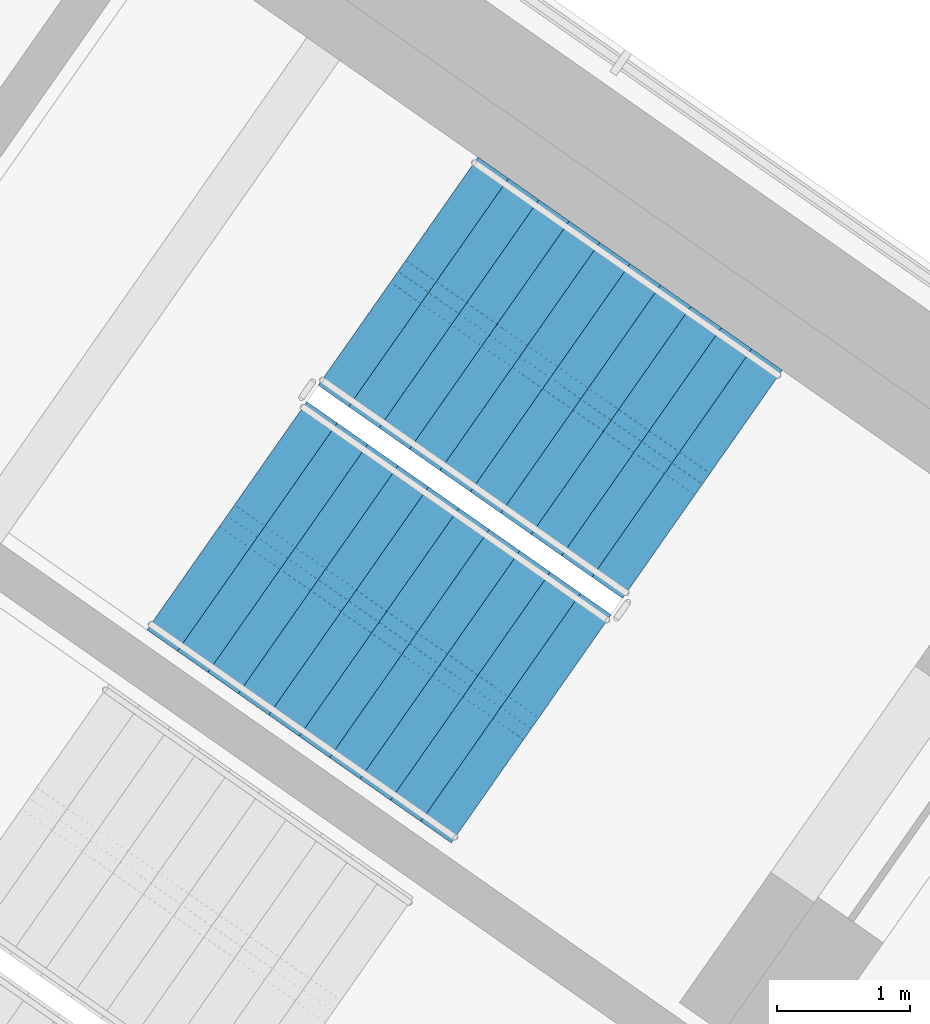
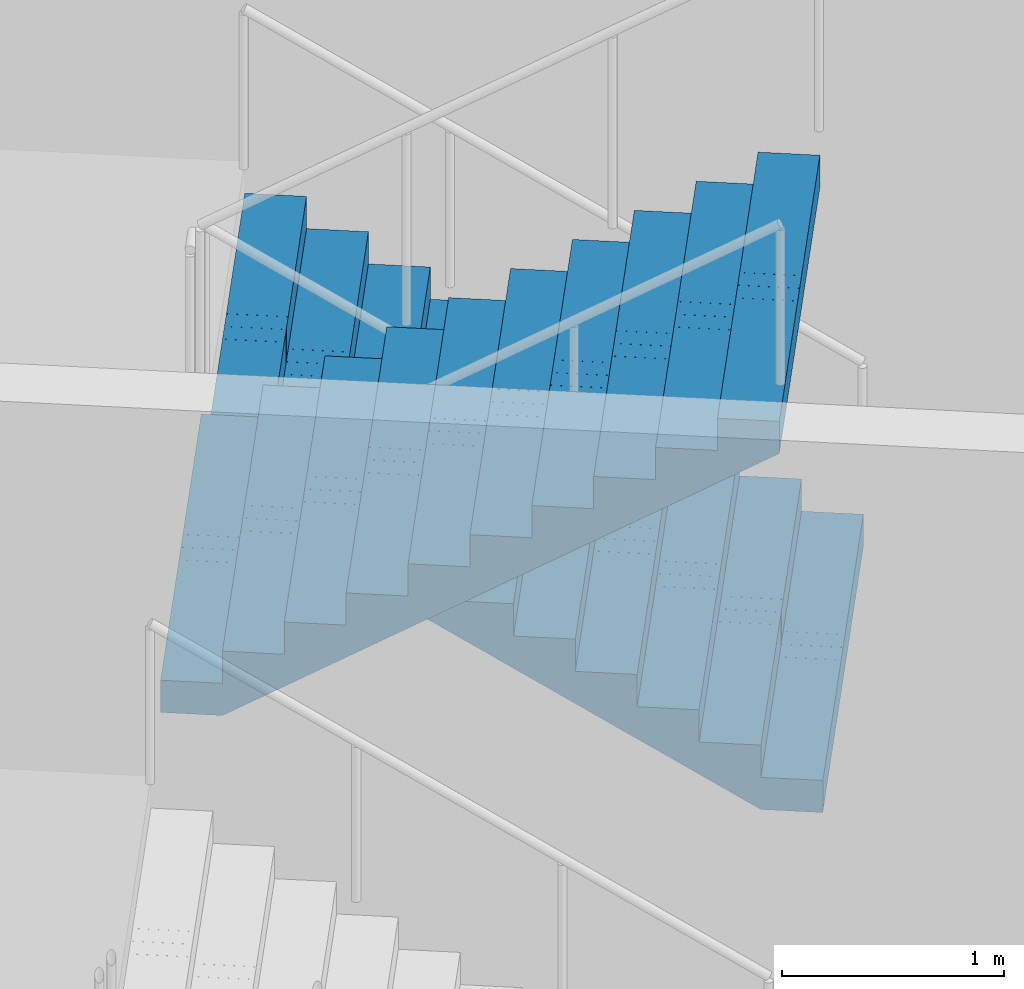
# One storey, part 14 of 20: 2 stair flights, 1 element without a shape of its own.
"""IFC4 building model written with IfcOpenShell, lengths in metres."""

import ifcopenshell
import ifcopenshell.guid

model = None  # the IFC model being written
_history = None  # IfcOwnerHistory: only IFC2X3 demands one
_inside = {}  # id of a spatial element -> (the spatial element, [elements in it])
_under = {}  # id of a project, library or spatial element -> (it, [spatial elements below it])
_declared = {}  # id of a project -> (the project, [libraries it declares])
_typed = {}  # id of a type object -> (the type object, [elements of that type])
_made_of = {}  # id of a material, layer set ... -> (it, [elements and type objects made of it])


def new_model(schema):
    """Start an empty IFC model of exactly this schema.

    Asked for "IFC4X3", IfcOpenShell would pick the latest addendum, in which some entities
    have other attributes; the version numbers below select the first issue.
    IFC2X3 requires an IfcOwnerHistory on every rooted entity: one is made here for all.
    """
    global model, _history
    if schema == "IFC4X3":
        model = ifcopenshell.file(schema_version=(4, 3, 0, 0))
    else:
        model = ifcopenshell.file(schema=schema)
    _inside.clear()
    _under.clear()
    _declared.clear()
    _typed.clear()
    _made_of.clear()
    _history = None
    if model.schema == "IFC2X3":
        org = make("IfcOrganization", Name="unknown")
        user = make(
            "IfcPersonAndOrganization",
            ThePerson=make("IfcPerson", FamilyName="unknown"),
            TheOrganization=org,
        )
        app = make(
            "IfcApplication",
            ApplicationDeveloper=org,
            Version="unknown",
            ApplicationFullName="unknown",
            ApplicationIdentifier="unknown",
        )
        _history = make(
            "IfcOwnerHistory",
            OwningUser=user,
            OwningApplication=app,
            ChangeAction="ADDED",
            CreationDate=0,
        )
    return model


def make(cls, **values):
    """One entity of the class cls with the attributes given. An attribute that is None is left unset."""
    return model.create_entity(
        cls, **{name: value for name, value in values.items() if value is not None}
    )


def rooted(cls, **values):
    """An entity with a GlobalId (a new one), such as an element, a storey or a relation."""
    return make(cls, GlobalId=ifcopenshell.guid.new(), OwnerHistory=_history, **values)


def si_unit(unit_type, name, prefix=None):
    """IfcSIUnit, for example si_unit("LENGTHUNIT", "METRE", prefix="MILLI")."""
    return make("IfcSIUnit", UnitType=unit_type, Prefix=prefix, Name=name)


def assignment(units):
    """IfcUnitAssignment: the units of a project."""
    return None if units is None else make("IfcUnitAssignment", Units=units)


def point(xyz):
    """IfcCartesianPoint."""
    return None if xyz is None else make("IfcCartesianPoint", Coordinates=xyz)


def direction(xyz):
    """IfcDirection."""
    return None if xyz is None else make("IfcDirection", DirectionRatios=xyz)


def frame(location, z_axis=None, x_axis=None):
    """IfcAxis2Placement3D, a coordinate frame: its origin and axes. An axis left out is left unset."""
    return make(
        "IfcAxis2Placement3D",
        Location=point(location),
        Axis=direction(z_axis),
        RefDirection=direction(x_axis),
    )


def origin():
    """The frame at (0, 0, 0) with its axes left unset."""
    return frame((0.0, 0.0, 0.0))


def place(relative_to, where):
    """IfcLocalPlacement: puts the frame where relative to a parent placement (None: the world)."""
    return make(
        "IfcLocalPlacement", PlacementRelTo=relative_to, RelativePlacement=where
    )


def context(
    kind, dimensions, precision=None, world=None, true_north=None, identifier=None
):
    """IfcGeometricRepresentationContext, for example the 3D "Model" context."""
    return make(
        "IfcGeometricRepresentationContext",
        ContextIdentifier=identifier,
        ContextType=kind,
        CoordinateSpaceDimension=dimensions,
        Precision=precision,
        WorldCoordinateSystem=world,
        TrueNorth=true_north,
    )


def subcontext(parent, identifier, kind, view, scale=None):
    """IfcGeometricRepresentationSubContext, for example "Body" below "Model"."""
    return make(
        "IfcGeometricRepresentationSubContext",
        ContextIdentifier=identifier,
        ContextType=kind,
        ParentContext=parent,
        TargetScale=scale,
        TargetView=view,
    )


def project(units=None, contexts=None):
    """IfcProject with its units and contexts."""
    return rooted(
        "IfcProject",
        Name="project",
        RepresentationContexts=contexts,
        UnitsInContext=assignment(units),
    )


def spatial(cls, under=None, at=None, **own):
    """A site, building, storey or space (cls), placed at a placement, below another one or the project."""
    s = rooted(cls, ObjectPlacement=at, **own)
    if under is not None:
        _under.setdefault(under.id(), (under, []))[1].append(s)
    return s


def polyline(points):
    """IfcPolyline through the points."""
    return make("IfcPolyline", Points=[point(p) for p in points])


def outline(outer, holes=None, kind="AREA"):
    """IfcArbitraryClosedProfileDef: a profile drawn as a closed curve; with holes, ...WithVoids."""
    if holes is None:
        return make("IfcArbitraryClosedProfileDef", ProfileType=kind, OuterCurve=outer)
    return make(
        "IfcArbitraryProfileDefWithVoids",
        ProfileType=kind,
        OuterCurve=outer,
        InnerCurves=holes,
    )


def extrude(swept, where, along, depth):
    """IfcExtrudedAreaSolid: the profile swept, set in the frame where, extruded along a direction by depth."""
    return make(
        "IfcExtrudedAreaSolid",
        SweptArea=swept,
        Position=where,
        ExtrudedDirection=direction(along),
        Depth=depth,
    )


def shape(context_of_items, identifier, shape_type, items):
    """IfcShapeRepresentation: the items that make up one representation, for example the "Body"."""
    return make(
        "IfcShapeRepresentation",
        ContextOfItems=context_of_items,
        RepresentationIdentifier=identifier,
        RepresentationType=shape_type,
        Items=items,
    )


def material(Name=None, Category=None):
    """IfcMaterial."""
    return make("IfcMaterial", Name=Name, Category=Category)


def made_of(thing, what):
    """Note that an element or type object is made of a material, layer set ...; save() writes the relation."""
    if what is not None:
        _made_of.setdefault(what.id(), (what, []))[1].append(thing)
    return thing


def type_object(cls, material=None, **own):
    """A type object (cls), such as IfcWallType, which elements share."""
    return made_of(rooted(cls, **own), material)


def element(
    cls,
    number,
    at=None,
    inside=None,
    cuts=None,
    type_object=None,
    material=None,
    context=None,
    identifier="Body",
    shape_type=None,
    held_by="IfcProductDefinitionShape",
    body=None,
    shapes=None,
    **own,
):
    """One element of the class cls, such as IfcWall. Its Tag is "e" and its number.

    at: its placement. inside: the storey or other place that contains it. cuts: it is an
    opening in that element (IfcRelVoidsElement). A single representation is given by context,
    identifier, shape_type and body (its items); several are given by shapes. held_by: the class
    of the entity that holds the representations. save() writes the other relations.
    """
    e = rooted(cls, Tag="e%d" % number, ObjectPlacement=at, **own)
    if body is not None:
        shapes = [shape(context, identifier, shape_type, body)]
    if shapes is not None:
        e.Representation = make(held_by, Representations=shapes)
    if inside is not None:
        _inside.setdefault(inside.id(), (inside, []))[1].append(e)
    if cuts is not None:
        rooted(
            "IfcRelVoidsElement", RelatingBuildingElement=cuts, RelatedOpeningElement=e
        )
    if type_object is not None:
        _typed.setdefault(type_object.id(), (type_object, []))[1].append(e)
    return made_of(e, material)


def aggregate(whole, parts):
    """IfcRelAggregates: a whole, such as a stair, and the parts it consists of."""
    return rooted("IfcRelAggregates", RelatingObject=whole, RelatedObjects=parts)


def save(model, path):
    """Write the relations noted so far, then the file.

    IfcRelAggregates (storeys below a building ...), IfcRelContainedInSpatialStructure (elements
    in a storey), IfcRelDefinesByType, IfcRelAssociatesMaterial and IfcRelDeclares: one each for
    every whole, place, type object, material and project.
    """
    for whole, parts in _under.values():
        aggregate(whole, parts)
    for where, things in _inside.values():
        rooted(
            "IfcRelContainedInSpatialStructure",
            RelatedElements=things,
            RelatingStructure=where,
        )
    for kind, things in _typed.values():
        rooted("IfcRelDefinesByType", RelatedObjects=things, RelatingType=kind)
    for what, things in _made_of.values():
        rooted("IfcRelAssociatesMaterial", RelatedObjects=things, RelatingMaterial=what)
    for by, libraries in _declared.values():
        rooted("IfcRelDeclares", RelatingContext=by, RelatedDefinitions=libraries)
    model.write(path)


model = new_model("IFC4")

# Units and contexts
model_context = context("Model", 3, precision=1e-05, world=origin(), true_north=direction((0.0, 1.0)))
body_context = subcontext(model_context, "Body", "Model", "MODEL_VIEW")
ifc_project = project(units=[si_unit("LENGTHUNIT", "METRE"), si_unit("AREAUNIT", "SQUARE_METRE"), si_unit("VOLUMEUNIT", "CUBIC_METRE"), si_unit("PLANEANGLEUNIT", "RADIAN"), si_unit("MASSUNIT", "GRAM", prefix="KILO")], contexts=[model_context])

# Site, building, storey
site_placement = place(None, origin())
site = spatial("IfcSite", under=ifc_project, at=site_placement, CompositionType="ELEMENT")
building_placement = place(site_placement, origin())
building = spatial("IfcBuilding", under=site, at=building_placement, Name="Tel Ilan Convention Tower", CompositionType="ELEMENT")
storey_placement = place(building_placement, frame((0.0, 0.0, 248.800048828125)))
storey = spatial("IfcBuildingStorey", under=building, at=storey_placement, Name="L58", CompositionType="ELEMENT", Elevation=248.800048828125)

# Stair, stair flights
ifc_material_1 = material(Name="Concrete C40/50", Category="concrete")
stair_type = type_object("IfcStairType", Name="Pressurised Exit Stair 22 risers 177 mm", PredefinedType="HALF_TURN_STAIR", material=ifc_material_1)
stair_placement = place(storey_placement, origin())
stair = element("IfcStair", 1, at=stair_placement, inside=storey, type_object=stair_type, Name="L58 Pressurised Stair S3", PredefinedType="HALF_TURN_STAIR")
ifc_material_2 = material(Name="Precast Concrete C40/50", Category="concrete")
stair_flight_type = type_object("IfcStairFlightType", Name="Concrete Stair Flight 2100 mm 22 risers 177 mm", PredefinedType="STRAIGHT", material=ifc_material_2)
stair_flight_1_placement = place(storey_placement, frame((24.25244140625, -7.032470703125, 0.0), z_axis=(0.0, 0.0, 1.0), x_axis=(-0.819152044289, 0.573576436351, 0.0)))
stair_flight_1 = element("IfcStairFlight", 2, at=stair_flight_1_placement, type_object=stair_flight_type, Name="S3 flight 1", NumberOfRisers=11, NumberOfTreads=10, PredefinedType="STRAIGHT", RiserHeight=0.177272727, TreadLength=0.28, context=body_context, shape_type="SweptSolid", body=[
    extrude(outline(polyline([(0.0, 0.0), (0.0, 0.17724609375), (0.280029296875, 0.17724609375), (0.280029296875, 0.3544921875), (0.56005859375, 0.3544921875), (0.56005859375, 0.53173828125), (0.840087890625, 0.53173828125), (0.840087890625, 0.708984375), (1.1201171875, 0.708984375), (1.1201171875, 0.886474609375), (1.39990234375, 0.886474609375), (1.39990234375, 1.063720703125), (1.679931640625, 1.063720703125), (1.679931640625, 1.240966796875), (1.9599609375, 1.240966796875), (1.9599609375, 1.418212890625), (2.239990234375, 1.418212890625), (2.239990234375, 1.595458984375), (2.52001953125, 1.595458984375), (2.52001953125, 1.772705078125), (2.800048828125, 1.772705078125), (2.800048828125, 1.949951171875), (2.800048828125, 1.59521484375), (0.2802734375, 0.0), (0.0, 0.0)])), frame((0.0, -0.100341796875, 0.0), z_axis=(0.0, -1.0, 0.0), x_axis=(1.0, 0.0, 0.0)), (0.0, 0.0, 1.0), 0.94970703125),
    extrude(outline(polyline([(0.0, 0.0), (0.0, 0.17724609375), (0.280029296875, 0.17724609375), (0.280029296875, 0.3544921875), (0.56005859375, 0.3544921875), (0.56005859375, 0.53173828125), (0.840087890625, 0.53173828125), (0.840087890625, 0.708984375), (1.1201171875, 0.708984375), (1.1201171875, 0.886474609375), (1.39990234375, 0.886474609375), (1.39990234375, 1.063720703125), (1.679931640625, 1.063720703125), (1.679931640625, 1.240966796875), (1.9599609375, 1.240966796875), (1.9599609375, 1.418212890625), (2.239990234375, 1.418212890625), (2.239990234375, 1.595458984375), (2.52001953125, 1.595458984375), (2.52001953125, 1.772705078125), (2.800048828125, 1.772705078125), (2.800048828125, 1.949951171875), (2.800048828125, 1.59521484375), (0.2802734375, 0.0), (0.0, 0.0)])), frame((0.0, -0.000244140625, 0.0), z_axis=(0.0, -1.0, 0.0), x_axis=(1.0, 0.0, 0.0)), (0.0, 0.0, 1.0), 0.099609375),
    extrude(outline(polyline([(0.0, 0.0), (0.0, 0.17724609375), (0.280029296875, 0.17724609375), (0.280029296875, 0.3544921875), (0.56005859375, 0.3544921875), (0.56005859375, 0.53173828125), (0.840087890625, 0.53173828125), (0.840087890625, 0.708984375), (1.1201171875, 0.708984375), (1.1201171875, 0.886474609375), (1.39990234375, 0.886474609375), (1.39990234375, 1.063720703125), (1.679931640625, 1.063720703125), (1.679931640625, 1.240966796875), (1.9599609375, 1.240966796875), (1.9599609375, 1.418212890625), (2.239990234375, 1.418212890625), (2.239990234375, 1.595458984375), (2.52001953125, 1.595458984375), (2.52001953125, 1.772705078125), (2.800048828125, 1.772705078125), (2.800048828125, 1.949951171875), (2.800048828125, 1.59521484375), (0.2802734375, 0.0), (0.0, 0.0)])), frame((0.0, 0.099853515625, 0.0), z_axis=(0.0, -1.0, 0.0), x_axis=(1.0, 0.0, 0.0)), (0.0, 0.0, 1.0), 0.099609375),
    extrude(outline(polyline([(0.0, 0.0), (0.0, 0.17724609375), (0.280029296875, 0.17724609375), (0.280029296875, 0.3544921875), (0.56005859375, 0.3544921875), (0.56005859375, 0.53173828125), (0.840087890625, 0.53173828125), (0.840087890625, 0.708984375), (1.1201171875, 0.708984375), (1.1201171875, 0.886474609375), (1.39990234375, 0.886474609375), (1.39990234375, 1.063720703125), (1.679931640625, 1.063720703125), (1.679931640625, 1.240966796875), (1.9599609375, 1.240966796875), (1.9599609375, 1.418212890625), (2.239990234375, 1.418212890625), (2.239990234375, 1.595458984375), (2.52001953125, 1.595458984375), (2.52001953125, 1.772705078125), (2.800048828125, 1.772705078125), (2.800048828125, 1.949951171875), (2.800048828125, 1.59521484375), (0.2802734375, 0.0), (0.0, 0.0)])), frame((0.0, 1.050048828125, 0.0), z_axis=(0.0, -1.0, 0.0), x_axis=(1.0, 0.0, 0.0)), (0.0, 0.0, 1.0), 0.94970703125),
])
stair_flight_2_placement = place(storey_placement, frame((20.668212890625, -7.26953125, 1.949951171875), z_axis=(0.0, 0.0, 1.0), x_axis=(0.819152044289, -0.573576436351, 0.0)))
stair_flight_2 = element("IfcStairFlight", 3, at=stair_flight_2_placement, type_object=stair_flight_type, Name="S3 flight 2", NumberOfRisers=11, NumberOfTreads=10, PredefinedType="STRAIGHT", RiserHeight=0.177272727, TreadLength=0.28, context=body_context, shape_type="SweptSolid", body=[
    extrude(outline(polyline([(0.0, 0.0), (0.0, 0.17724609375), (0.280029296875, 0.17724609375), (0.280029296875, 0.3544921875), (0.56005859375, 0.3544921875), (0.56005859375, 0.53173828125), (0.840087890625, 0.53173828125), (0.840087890625, 0.708984375), (1.1201171875, 0.708984375), (1.1201171875, 0.886474609375), (1.39990234375, 0.886474609375), (1.39990234375, 1.063720703125), (1.679931640625, 1.063720703125), (1.679931640625, 1.240966796875), (1.9599609375, 1.240966796875), (1.9599609375, 1.418212890625), (2.239990234375, 1.418212890625), (2.239990234375, 1.595458984375), (2.52001953125, 1.595458984375), (2.52001953125, 1.772705078125), (2.800048828125, 1.772705078125), (2.800048828125, 1.949951171875), (2.800048828125, 1.59521484375), (0.2802734375, 0.0), (0.0, 0.0)])), frame((0.0, -0.100341796875, 0.0), z_axis=(0.0, -1.0, 0.0), x_axis=(1.0, 0.0, 0.0)), (0.0, 0.0, 1.0), 0.94970703125),
    extrude(outline(polyline([(0.0, 0.0), (0.0, 0.17724609375), (0.280029296875, 0.17724609375), (0.280029296875, 0.3544921875), (0.56005859375, 0.3544921875), (0.56005859375, 0.53173828125), (0.840087890625, 0.53173828125), (0.840087890625, 0.708984375), (1.1201171875, 0.708984375), (1.1201171875, 0.886474609375), (1.39990234375, 0.886474609375), (1.39990234375, 1.063720703125), (1.679931640625, 1.063720703125), (1.679931640625, 1.240966796875), (1.9599609375, 1.240966796875), (1.9599609375, 1.418212890625), (2.239990234375, 1.418212890625), (2.239990234375, 1.595458984375), (2.52001953125, 1.595458984375), (2.52001953125, 1.772705078125), (2.800048828125, 1.772705078125), (2.800048828125, 1.949951171875), (2.800048828125, 1.59521484375), (0.2802734375, 0.0), (0.0, 0.0)])), frame((0.0, -0.000244140625, 0.0), z_axis=(0.0, -1.0, 0.0), x_axis=(1.0, 0.0, 0.0)), (0.0, 0.0, 1.0), 0.099609375),
    extrude(outline(polyline([(0.0, 0.0), (0.0, 0.17724609375), (0.280029296875, 0.17724609375), (0.280029296875, 0.3544921875), (0.56005859375, 0.3544921875), (0.56005859375, 0.53173828125), (0.840087890625, 0.53173828125), (0.840087890625, 0.708984375), (1.1201171875, 0.708984375), (1.1201171875, 0.886474609375), (1.39990234375, 0.886474609375), (1.39990234375, 1.063720703125), (1.679931640625, 1.063720703125), (1.679931640625, 1.240966796875), (1.9599609375, 1.240966796875), (1.9599609375, 1.418212890625), (2.239990234375, 1.418212890625), (2.239990234375, 1.595458984375), (2.52001953125, 1.595458984375), (2.52001953125, 1.772705078125), (2.800048828125, 1.772705078125), (2.800048828125, 1.949951171875), (2.800048828125, 1.59521484375), (0.2802734375, 0.0), (0.0, 0.0)])), frame((0.0, 0.099853515625, 0.0), z_axis=(0.0, -1.0, 0.0), x_axis=(1.0, 0.0, 0.0)), (0.0, 0.0, 1.0), 0.099609375),
    extrude(outline(polyline([(0.0, 0.0), (0.0, 0.17724609375), (0.280029296875, 0.17724609375), (0.280029296875, 0.3544921875), (0.56005859375, 0.3544921875), (0.56005859375, 0.53173828125), (0.840087890625, 0.53173828125), (0.840087890625, 0.708984375), (1.1201171875, 0.708984375), (1.1201171875, 0.886474609375), (1.39990234375, 0.886474609375), (1.39990234375, 1.063720703125), (1.679931640625, 1.063720703125), (1.679931640625, 1.240966796875), (1.9599609375, 1.240966796875), (1.9599609375, 1.418212890625), (2.239990234375, 1.418212890625), (2.239990234375, 1.595458984375), (2.52001953125, 1.595458984375), (2.52001953125, 1.772705078125), (2.800048828125, 1.772705078125), (2.800048828125, 1.949951171875), (2.800048828125, 1.59521484375), (0.2802734375, 0.0), (0.0, 0.0)])), frame((0.0, 1.050048828125, 0.0), z_axis=(0.0, -1.0, 0.0), x_axis=(1.0, 0.0, 0.0)), (0.0, 0.0, 1.0), 0.94970703125),
])
aggregate(stair, [stair_flight_1, stair_flight_2])

save(model, "model.ifc")
